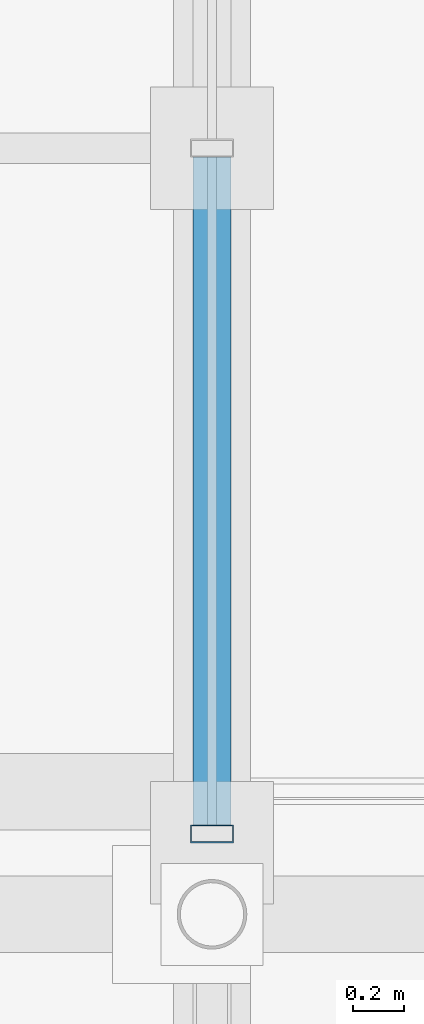
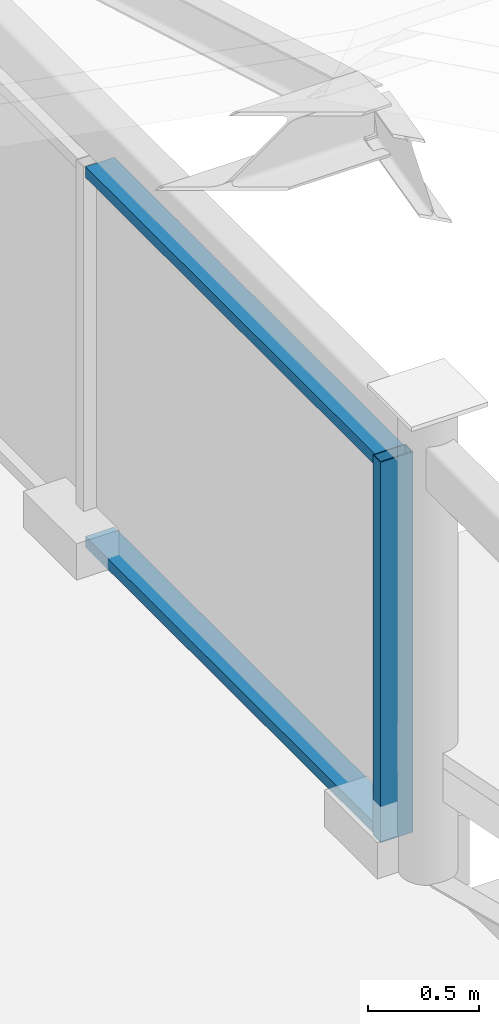
# One storey, part 46 of 117: 3 members, 1 element without a shape of its own.
"""IFC4 building model written with IfcOpenShell, lengths in metres."""

from ifc_helpers import new_model, si_unit, direction, frame, origin, origin_2d, place, context, subcontext, project, spatial, hollow_rectangle, extrude, material, material_profile, profile_set, type_object, element, aggregate, save


model = new_model("IFC4")

# Units and contexts
model_context = context("Model", 3, precision=1e-05, world=origin(), true_north=direction((0.0, 1.0)))
body_context = subcontext(model_context, "Body", "Model", "MODEL_VIEW")
ifc_project = project(units=[si_unit("LENGTHUNIT", "METRE"), si_unit("AREAUNIT", "SQUARE_METRE"), si_unit("VOLUMEUNIT", "CUBIC_METRE"), si_unit("PLANEANGLEUNIT", "RADIAN"), si_unit("MASSUNIT", "GRAM", prefix="KILO")], contexts=[model_context])

# Site, building, storey
site_placement = place(None, origin())
site = spatial("IfcSite", under=ifc_project, at=site_placement, CompositionType="ELEMENT")
building_placement = place(site_placement, origin())
building = spatial("IfcBuilding", under=site, at=building_placement, Name="Merenkruunu Market Hall", CompositionType="ELEMENT")
storey_placement = place(building_placement, frame((0.0, 0.0, 10.199951171875)))
storey = spatial("IfcBuildingStorey", under=building, at=storey_placement, Name="L02", CompositionType="ELEMENT", Elevation=10.199951171875)

# Curtain wall, members
ifc_material = material(Name="Powder-coated aluminium", Category="aluminium")
curtain_wall_type = type_object("IfcCurtainWallType", Name="Clerestory Curtain Band CL02", PredefinedType="USERDEFINED", material=ifc_material)
curtain_wall_placement = place(storey_placement, origin())
curtain_wall = element("IfcCurtainWall", 1, at=curtain_wall_placement, inside=storey, type_object=curtain_wall_type, Name="CW-L02-CWM04-158", ObjectType="CLERESTORY_BAND", PredefinedType="USERDEFINED")
ifc_material_profile_1 = material_profile(ifc_material, hollow_rectangle(XDim=0.070068359375, YDim=0.169921875, WallThickness=0.0048828125, at=origin_2d()), Name="ALU 70x170x5")
ifc_profile_set_1 = profile_set([ifc_material_profile_1], Name="Powder-coated aluminium")
member_type_1 = type_object("IfcMemberType", Name="Curtain Wall Mullion CWM04", PredefinedType="MULLION", material=ifc_profile_set_1)
member_1_placement = place(storey_placement, frame((76.800048828125, 45.9150390625, 0.0), z_axis=(0.0, 0.0, 1.0), x_axis=(0.0, -1.0, 0.0)))
member_1 = element("IfcMember", 2, at=member_1_placement, type_object=member_type_1, Name="CL02 mullion 3", PredefinedType="MULLION", context=body_context, shape_type="SweptSolid", body=[
    extrude(hollow_rectangle(XDim=0.070068359375, YDim=0.169921875, WallThickness=0.0048828125, at=origin_2d()), origin(), (0.0, 0.0, 1.0), 2.10009765625),
])
ifc_material_profile_2 = material_profile(ifc_material, hollow_rectangle(XDim=0.06005859375, YDim=0.14990234375, WallThickness=0.00390625, at=origin_2d()), Name="ALU 60x150x4")
ifc_profile_set_2 = profile_set([ifc_material_profile_2], Name="Powder-coated aluminium")
member_type_2 = type_object("IfcMemberType", Name="Curtain Wall Transom CWT04", PredefinedType="USERDEFINED", material=ifc_profile_set_2)
member_2_placement = place(storey_placement, frame((76.800048828125, 48.56494140625, 0.030029296875), z_axis=(0.0, -1.0, 0.0), x_axis=(0.0, 0.0, 1.0)))
member_2 = element("IfcMember", 3, at=member_2_placement, type_object=member_type_2, Name="CL02 transom 2.1", ObjectType="TRANSOM", PredefinedType="USERDEFINED", context=body_context, shape_type="SweptSolid", body=[
    extrude(hollow_rectangle(XDim=0.06005859375, YDim=0.14990234375, WallThickness=0.00390625, at=origin_2d()), origin(), (0.0, 0.0, 1.0), 2.614990234375),
])
member_3_placement = place(storey_placement, frame((76.800048828125, 48.56494140625, 2.070068359375), z_axis=(0.0, -1.0, 0.0), x_axis=(0.0, 0.0, 1.0)))
member_3 = element("IfcMember", 4, at=member_3_placement, type_object=member_type_2, Name="CL02 transom 2.2", ObjectType="TRANSOM", PredefinedType="USERDEFINED", context=body_context, shape_type="SweptSolid", body=[
    extrude(hollow_rectangle(XDim=0.06005859375, YDim=0.14990234375, WallThickness=0.00390625, at=origin_2d()), origin(), (0.0, 0.0, 1.0), 2.614990234375),
])
aggregate(curtain_wall, [member_1, member_2, member_3])

save(model, "model.ifc")
